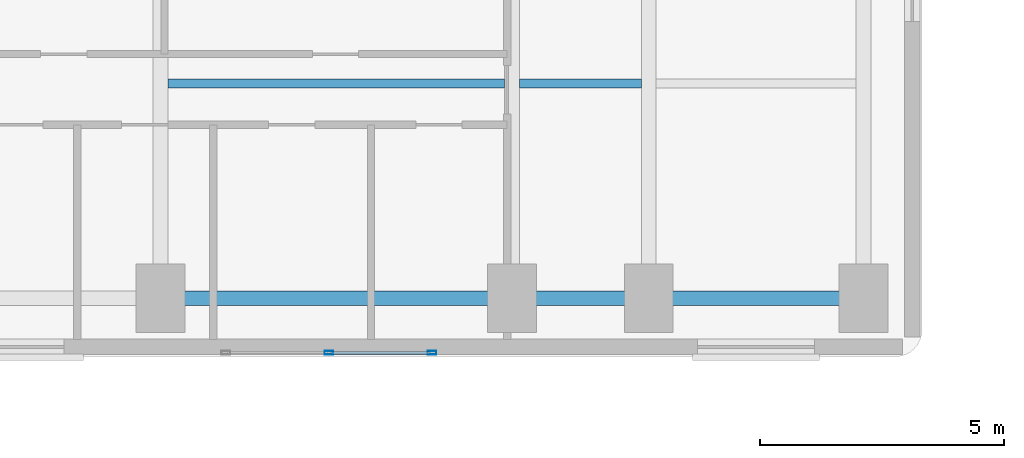
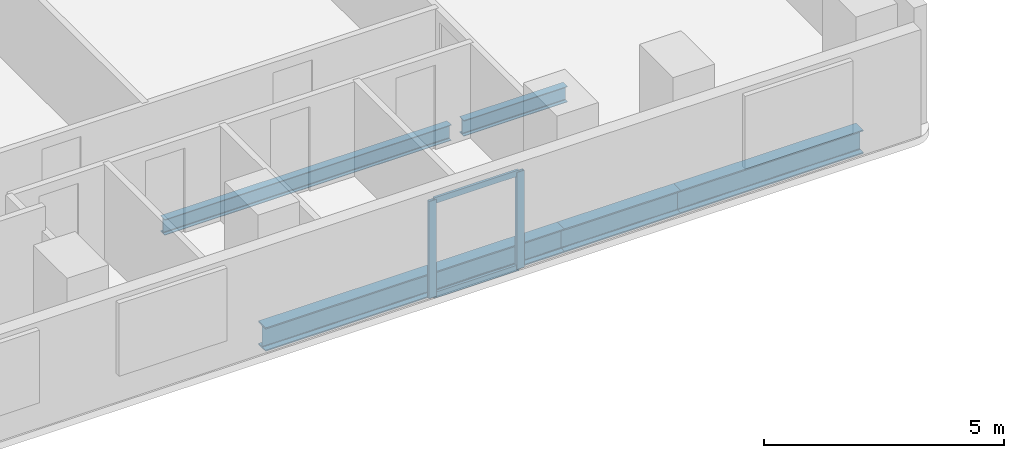
# One storey, part 6 of 18: 5 beams, 4 members, 1 element without a shape of its own.
"""IFC4 building model written with IfcOpenShell, lengths in metres."""

import ifcopenshell
import ifcopenshell.guid

model = None  # the IFC model being written
_history = None  # IfcOwnerHistory: only IFC2X3 demands one
_inside = {}  # id of a spatial element -> (the spatial element, [elements in it])
_under = {}  # id of a project, library or spatial element -> (it, [spatial elements below it])
_declared = {}  # id of a project -> (the project, [libraries it declares])
_typed = {}  # id of a type object -> (the type object, [elements of that type])
_made_of = {}  # id of a material, layer set ... -> (it, [elements and type objects made of it])


def new_model(schema):
    """Start an empty IFC model of exactly this schema.

    Asked for "IFC4X3", IfcOpenShell would pick the latest addendum, in which some entities
    have other attributes; the version numbers below select the first issue.
    IFC2X3 requires an IfcOwnerHistory on every rooted entity: one is made here for all.
    """
    global model, _history
    if schema == "IFC4X3":
        model = ifcopenshell.file(schema_version=(4, 3, 0, 0))
    else:
        model = ifcopenshell.file(schema=schema)
    _inside.clear()
    _under.clear()
    _declared.clear()
    _typed.clear()
    _made_of.clear()
    _history = None
    if model.schema == "IFC2X3":
        org = make("IfcOrganization", Name="unknown")
        user = make(
            "IfcPersonAndOrganization",
            ThePerson=make("IfcPerson", FamilyName="unknown"),
            TheOrganization=org,
        )
        app = make(
            "IfcApplication",
            ApplicationDeveloper=org,
            Version="unknown",
            ApplicationFullName="unknown",
            ApplicationIdentifier="unknown",
        )
        _history = make(
            "IfcOwnerHistory",
            OwningUser=user,
            OwningApplication=app,
            ChangeAction="ADDED",
            CreationDate=0,
        )
    return model


def make(cls, **values):
    """One entity of the class cls with the attributes given. An attribute that is None is left unset."""
    return model.create_entity(
        cls, **{name: value for name, value in values.items() if value is not None}
    )


def rooted(cls, **values):
    """An entity with a GlobalId (a new one), such as an element, a storey or a relation."""
    return make(cls, GlobalId=ifcopenshell.guid.new(), OwnerHistory=_history, **values)


def si_unit(unit_type, name, prefix=None):
    """IfcSIUnit, for example si_unit("LENGTHUNIT", "METRE", prefix="MILLI")."""
    return make("IfcSIUnit", UnitType=unit_type, Prefix=prefix, Name=name)


def assignment(units):
    """IfcUnitAssignment: the units of a project."""
    return None if units is None else make("IfcUnitAssignment", Units=units)


def point(xyz):
    """IfcCartesianPoint."""
    return None if xyz is None else make("IfcCartesianPoint", Coordinates=xyz)


def direction(xyz):
    """IfcDirection."""
    return None if xyz is None else make("IfcDirection", DirectionRatios=xyz)


def frame(location, z_axis=None, x_axis=None):
    """IfcAxis2Placement3D, a coordinate frame: its origin and axes. An axis left out is left unset."""
    return make(
        "IfcAxis2Placement3D",
        Location=point(location),
        Axis=direction(z_axis),
        RefDirection=direction(x_axis),
    )


def frame_2d(location, x_axis=None):
    """IfcAxis2Placement2D, a coordinate frame in the plane: its origin and x axis."""
    return make(
        "IfcAxis2Placement2D", Location=point(location), RefDirection=direction(x_axis)
    )


def origin():
    """The frame at (0, 0, 0) with its axes left unset."""
    return frame((0.0, 0.0, 0.0))


def origin_2d():
    """The frame at (0, 0) in the plane with its x axis left unset."""
    return frame_2d((0.0, 0.0))


def place(relative_to, where):
    """IfcLocalPlacement: puts the frame where relative to a parent placement (None: the world)."""
    return make(
        "IfcLocalPlacement", PlacementRelTo=relative_to, RelativePlacement=where
    )


def context(
    kind, dimensions, precision=None, world=None, true_north=None, identifier=None
):
    """IfcGeometricRepresentationContext, for example the 3D "Model" context."""
    return make(
        "IfcGeometricRepresentationContext",
        ContextIdentifier=identifier,
        ContextType=kind,
        CoordinateSpaceDimension=dimensions,
        Precision=precision,
        WorldCoordinateSystem=world,
        TrueNorth=true_north,
    )


def subcontext(parent, identifier, kind, view, scale=None):
    """IfcGeometricRepresentationSubContext, for example "Body" below "Model"."""
    return make(
        "IfcGeometricRepresentationSubContext",
        ContextIdentifier=identifier,
        ContextType=kind,
        ParentContext=parent,
        TargetScale=scale,
        TargetView=view,
    )


def project(units=None, contexts=None):
    """IfcProject with its units and contexts."""
    return rooted(
        "IfcProject",
        Name="project",
        RepresentationContexts=contexts,
        UnitsInContext=assignment(units),
    )


def spatial(cls, under=None, at=None, **own):
    """A site, building, storey or space (cls), placed at a placement, below another one or the project."""
    s = rooted(cls, ObjectPlacement=at, **own)
    if under is not None:
        _under.setdefault(under.id(), (under, []))[1].append(s)
    return s


def profile(cls, at=None, kind="AREA", **sizes):
    """A parametric profile (cls). Its sizes go by their IFC names, for example OverallWidth=200.0."""
    return make(cls, ProfileType=kind, Position=at, **sizes)


def hollow_rectangle(**sizes):
    """IfcRectangleHollowProfileDef."""
    return profile("IfcRectangleHollowProfileDef", **sizes)


def i_section(**sizes):
    """IfcIShapeProfileDef."""
    return profile("IfcIShapeProfileDef", **sizes)


def extrude(swept, where, along, depth):
    """IfcExtrudedAreaSolid: the profile swept, set in the frame where, extruded along a direction by depth."""
    return make(
        "IfcExtrudedAreaSolid",
        SweptArea=swept,
        Position=where,
        ExtrudedDirection=direction(along),
        Depth=depth,
    )


def shape(context_of_items, identifier, shape_type, items):
    """IfcShapeRepresentation: the items that make up one representation, for example the "Body"."""
    return make(
        "IfcShapeRepresentation",
        ContextOfItems=context_of_items,
        RepresentationIdentifier=identifier,
        RepresentationType=shape_type,
        Items=items,
    )


def material(Name=None, Category=None):
    """IfcMaterial."""
    return make("IfcMaterial", Name=Name, Category=Category)


def material_profile(
    of_material, cross_section, Name=None, Category=None, Priority=None
):
    """IfcMaterialProfile: a cross section and its material."""
    return make(
        "IfcMaterialProfile",
        Name=Name,
        Material=of_material,
        Profile=cross_section,
        Priority=Priority,
        Category=Category,
    )


def profile_set(profiles, Name=None, composite=None):
    """IfcMaterialProfileSet."""
    return make(
        "IfcMaterialProfileSet",
        Name=Name,
        MaterialProfiles=profiles,
        CompositeProfile=composite,
    )


def made_of(thing, what):
    """Note that an element or type object is made of a material, layer set ...; save() writes the relation."""
    if what is not None:
        _made_of.setdefault(what.id(), (what, []))[1].append(thing)
    return thing


def type_object(cls, material=None, **own):
    """A type object (cls), such as IfcWallType, which elements share."""
    return made_of(rooted(cls, **own), material)


def element(
    cls,
    number,
    at=None,
    inside=None,
    cuts=None,
    type_object=None,
    material=None,
    context=None,
    identifier="Body",
    shape_type=None,
    held_by="IfcProductDefinitionShape",
    body=None,
    shapes=None,
    **own,
):
    """One element of the class cls, such as IfcWall. Its Tag is "e" and its number.

    at: its placement. inside: the storey or other place that contains it. cuts: it is an
    opening in that element (IfcRelVoidsElement). A single representation is given by context,
    identifier, shape_type and body (its items); several are given by shapes. held_by: the class
    of the entity that holds the representations. save() writes the other relations.
    """
    e = rooted(cls, Tag="e%d" % number, ObjectPlacement=at, **own)
    if body is not None:
        shapes = [shape(context, identifier, shape_type, body)]
    if shapes is not None:
        e.Representation = make(held_by, Representations=shapes)
    if inside is not None:
        _inside.setdefault(inside.id(), (inside, []))[1].append(e)
    if cuts is not None:
        rooted(
            "IfcRelVoidsElement", RelatingBuildingElement=cuts, RelatedOpeningElement=e
        )
    if type_object is not None:
        _typed.setdefault(type_object.id(), (type_object, []))[1].append(e)
    return made_of(e, material)


def aggregate(whole, parts):
    """IfcRelAggregates: a whole, such as a stair, and the parts it consists of."""
    return rooted("IfcRelAggregates", RelatingObject=whole, RelatedObjects=parts)


def save(model, path):
    """Write the relations noted so far, then the file.

    IfcRelAggregates (storeys below a building ...), IfcRelContainedInSpatialStructure (elements
    in a storey), IfcRelDefinesByType, IfcRelAssociatesMaterial and IfcRelDeclares: one each for
    every whole, place, type object, material and project.
    """
    for whole, parts in _under.values():
        aggregate(whole, parts)
    for where, things in _inside.values():
        rooted(
            "IfcRelContainedInSpatialStructure",
            RelatedElements=things,
            RelatingStructure=where,
        )
    for kind, things in _typed.values():
        rooted("IfcRelDefinesByType", RelatedObjects=things, RelatingType=kind)
    for what, things in _made_of.values():
        rooted("IfcRelAssociatesMaterial", RelatedObjects=things, RelatingMaterial=what)
    for by, libraries in _declared.values():
        rooted("IfcRelDeclares", RelatingContext=by, RelatedDefinitions=libraries)
    model.write(path)


model = new_model("IFC4")

# Units and contexts
model_context = context("Model", 3, precision=1e-05, world=origin(), true_north=direction((0.0, 1.0)))
body_context = subcontext(model_context, "Body", "Model", "MODEL_VIEW")
ifc_project = project(units=[si_unit("LENGTHUNIT", "METRE"), si_unit("AREAUNIT", "SQUARE_METRE"), si_unit("VOLUMEUNIT", "CUBIC_METRE"), si_unit("PLANEANGLEUNIT", "RADIAN"), si_unit("MASSUNIT", "GRAM", prefix="KILO")], contexts=[model_context])

# Site, building, storey
site_placement = place(None, origin())
site = spatial("IfcSite", under=ifc_project, at=site_placement, CompositionType="ELEMENT")
building_placement = place(site_placement, origin())
building = spatial("IfcBuilding", under=site, at=building_placement, Name="Kuzgunbayir Cultural Tower", CompositionType="ELEMENT")
storey_placement = place(building_placement, frame((0.0, 0.0, 53.199951171875)))
storey = spatial("IfcBuildingStorey", under=building, at=storey_placement, Name="L14", CompositionType="ELEMENT", Elevation=53.199951171875)

# Beams
ifc_material_1 = material(Name="Steel S355J2", Category="steel")
ifc_material_profile_1 = material_profile(ifc_material_1, i_section(OverallWidth=0.300048828125, OverallDepth=0.60009765625, WebThickness=0.015380859375, FlangeThickness=0.030029296875, FilletRadius=0.027099609375, at=origin_2d()), Name="HEB 600")
ifc_profile_set_1 = profile_set([ifc_material_profile_1], Name="Steel S355J2")
beam_type_1 = type_object("IfcBeamType", Name="BM-EXT-HEB600", PredefinedType="BEAM", material=ifc_profile_set_1)
beam_1_placement = place(storey_placement, frame((31.199951171875, 27.60009765625, -0.47998046875), z_axis=(1.0, 0.0, 0.0), x_axis=(0.0, 1.0, 0.0)))
element("IfcBeam", 1, at=beam_1_placement, inside=storey, type_object=beam_type_1, Name="L14 Wing B South Girder 2", PredefinedType="BEAM", context=body_context, shape_type="SweptSolid", body=[
    extrude(i_section(OverallWidth=0.300048828125, OverallDepth=0.60009765625, WebThickness=0.015380859375, FlangeThickness=0.030029296875, FilletRadius=0.027099609375, at=origin_2d()), origin(), (0.0, 0.0, 1.0), 7.199951171875),
])
beam_2_placement = place(storey_placement, frame((38.39990234375, 27.60009765625, -0.47998046875), z_axis=(1.0, 0.0, 0.0), x_axis=(0.0, 1.0, 0.0)))
element("IfcBeam", 2, at=beam_2_placement, inside=storey, type_object=beam_type_1, Name="L14 Wing B South Girder 3", PredefinedType="BEAM", context=body_context, shape_type="SweptSolid", body=[
    extrude(i_section(OverallWidth=0.300048828125, OverallDepth=0.60009765625, WebThickness=0.015380859375, FlangeThickness=0.030029296875, FilletRadius=0.027099609375, at=origin_2d()), origin(), (0.0, 0.0, 1.0), 2.800048828125),
])
beam_3_placement = place(storey_placement, frame((41.199951171875, 27.60009765625, -0.47998046875), z_axis=(1.0, 0.0, 0.0), x_axis=(0.0, 1.0, 0.0)))
element("IfcBeam", 3, at=beam_3_placement, inside=storey, type_object=beam_type_1, Name="L14 Wing B South Girder 4", PredefinedType="BEAM", context=body_context, shape_type="SweptSolid", body=[
    extrude(i_section(OverallWidth=0.300048828125, OverallDepth=0.60009765625, WebThickness=0.015380859375, FlangeThickness=0.030029296875, FilletRadius=0.027099609375, at=origin_2d()), origin(), (0.0, 0.0, 1.0), 4.400146484375),
])
ifc_material_profile_2 = material_profile(ifc_material_1, i_section(OverallWidth=0.179931640625, OverallDepth=0.39990234375, WebThickness=0.008544921875, FlangeThickness=0.013427734375, FilletRadius=0.02099609375, at=origin_2d()), Name="IPE 400")
ifc_profile_set_2 = profile_set([ifc_material_profile_2], Name="Steel S355J2")
beam_type_2 = type_object("IfcBeamType", Name="BM-JST-IPE400", PredefinedType="JOIST", material=ifc_profile_set_2)
beam_4_placement = place(storey_placement, frame((31.35009765625, 32.0, -0.3798828125), z_axis=(1.0, 0.0, 0.0), x_axis=(0.0, 1.0, 0.0)))
element("IfcBeam", 4, at=beam_4_placement, inside=storey, type_object=beam_type_2, Name="L14 Wing B Secondary Joist 1.1", PredefinedType="JOIST", context=body_context, shape_type="SweptSolid", body=[
    extrude(i_section(OverallWidth=0.179931640625, OverallDepth=0.39990234375, WebThickness=0.008544921875, FlangeThickness=0.013427734375, FilletRadius=0.02099609375, at=origin_2d()), origin(), (0.0, 0.0, 1.0), 6.89990234375),
])
beam_5_placement = place(storey_placement, frame((38.550048828125, 32.0, -0.3798828125), z_axis=(1.0, 0.0, 0.0), x_axis=(0.0, 1.0, 0.0)))
element("IfcBeam", 5, at=beam_5_placement, inside=storey, type_object=beam_type_2, Name="L14 Wing B Secondary Joist 2.1", PredefinedType="JOIST", context=body_context, shape_type="SweptSolid", body=[
    extrude(i_section(OverallWidth=0.179931640625, OverallDepth=0.39990234375, WebThickness=0.008544921875, FlangeThickness=0.013427734375, FilletRadius=0.02099609375, at=origin_2d()), origin(), (0.0, 0.0, 1.0), 2.5),
])

# Curtain wall, members
ifc_material_2 = material(Name="Anodised Aluminium Framing", Category="aluminium")
curtain_wall_type = type_object("IfcCurtainWallType", Name="CW03-T1-OFFICE", PredefinedType="NOTDEFINED", material=ifc_material_2)
curtain_wall_placement = place(storey_placement, origin())
curtain_wall = element("IfcCurtainWall", 6, at=curtain_wall_placement, inside=storey, type_object=curtain_wall_type, Name="L14 Wing B South Feature Curtain Wall", PredefinedType="NOTDEFINED")
ifc_material_profile_3 = material_profile(ifc_material_2, hollow_rectangle(XDim=0.074951171875, YDim=0.179931640625, WallThickness=0.0048828125, at=origin_2d()), Name="RHS 180x75x5")
ifc_profile_set_3 = profile_set([ifc_material_profile_3], Name="Anodised Aluminium Framing")
member_type_1 = type_object("IfcMemberType", Name="MEM-CW-MULLION-180", PredefinedType="MULLION", material=ifc_profile_set_3)
member_1_placement = place(storey_placement, frame((34.64990234375, 26.47998046875, 0.0), z_axis=(0.0, 0.0, 1.0), x_axis=(0.0, 1.0, 0.0)))
member_1 = element("IfcMember", 7, at=member_1_placement, type_object=member_type_1, Name="CW03 mullion 2", PredefinedType="MULLION", context=body_context, shape_type="SweptSolid", body=[
    extrude(hollow_rectangle(XDim=0.074951171875, YDim=0.179931640625, WallThickness=0.0048828125, at=origin_2d()), origin(), (0.0, 0.0, 1.0), 2.469970703125),
])
member_2_placement = place(storey_placement, frame((36.762451171875, 26.47998046875, 0.0), z_axis=(0.0, 0.0, 1.0), x_axis=(0.0, 1.0, 0.0)))
member_2 = element("IfcMember", 8, at=member_2_placement, type_object=member_type_1, Name="CW03 mullion 3", PredefinedType="MULLION", context=body_context, shape_type="SweptSolid", body=[
    extrude(hollow_rectangle(XDim=0.074951171875, YDim=0.179931640625, WallThickness=0.0048828125, at=origin_2d()), origin(), (0.0, 0.0, 1.0), 2.469970703125),
])
ifc_material_profile_4 = material_profile(ifc_material_2, hollow_rectangle(XDim=0.06005859375, YDim=0.14990234375, WallThickness=0.00390625, at=origin_2d()), Name="RHS 150x60x4")
ifc_profile_set_4 = profile_set([ifc_material_profile_4], Name="Anodised Aluminium Framing")
member_type_2 = type_object("IfcMemberType", Name="MEM-CW-TRANSOM-150", PredefinedType="USERDEFINED", material=ifc_profile_set_4)
member_3_placement = place(storey_placement, frame((34.6875, 26.47998046875, 0.030029296875), z_axis=(1.0, 0.0, 0.0), x_axis=(0.0, 1.0, 0.0)))
member_3 = element("IfcMember", 9, at=member_3_placement, type_object=member_type_2, Name="CW03 transom 2.1", ObjectType="TRANSOM", PredefinedType="USERDEFINED", context=body_context, shape_type="SweptSolid", body=[
    extrude(hollow_rectangle(XDim=0.06005859375, YDim=0.14990234375, WallThickness=0.00390625, at=origin_2d()), origin(), (0.0, 0.0, 1.0), 2.03759765625),
])
member_4_placement = place(storey_placement, frame((34.6875, 26.47998046875, 2.43994140625), z_axis=(1.0, 0.0, 0.0), x_axis=(0.0, 1.0, 0.0)))
member_4 = element("IfcMember", 10, at=member_4_placement, type_object=member_type_2, Name="CW03 transom 2.2", ObjectType="TRANSOM", PredefinedType="USERDEFINED", context=body_context, shape_type="SweptSolid", body=[
    extrude(hollow_rectangle(XDim=0.06005859375, YDim=0.14990234375, WallThickness=0.00390625, at=origin_2d()), origin(), (0.0, 0.0, 1.0), 2.03759765625),
])
aggregate(curtain_wall, [member_1, member_2, member_3, member_4])

save(model, "model.ifc")
